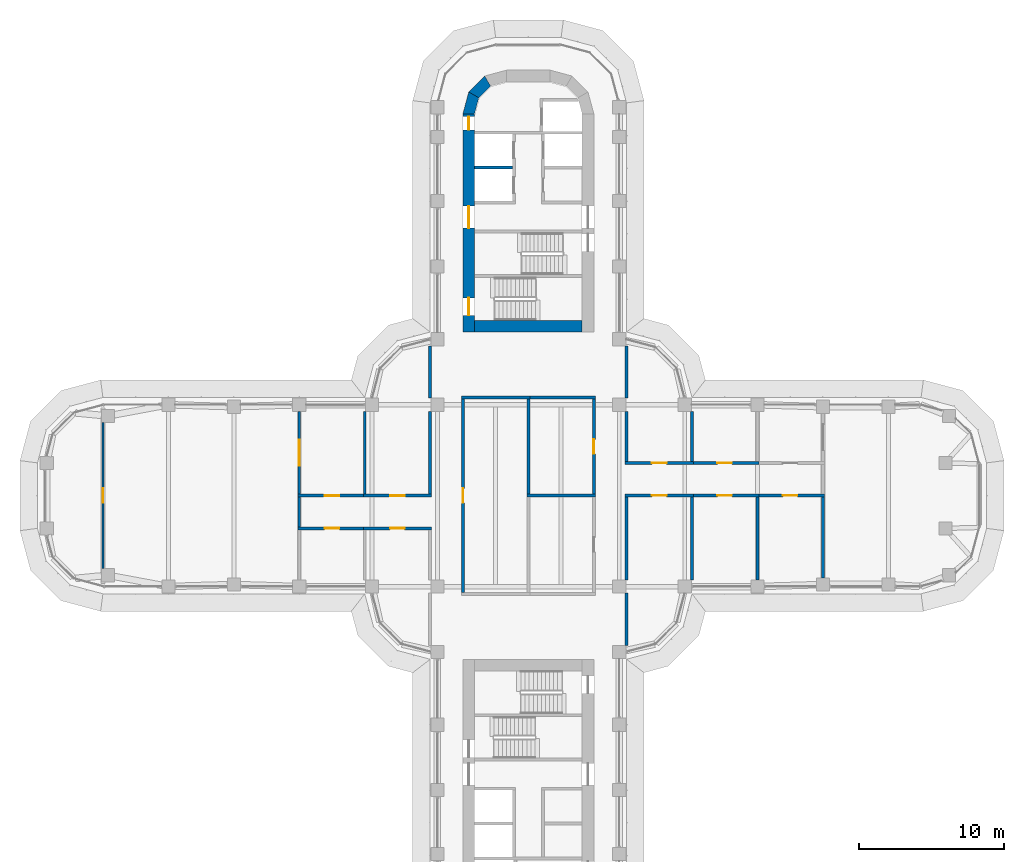
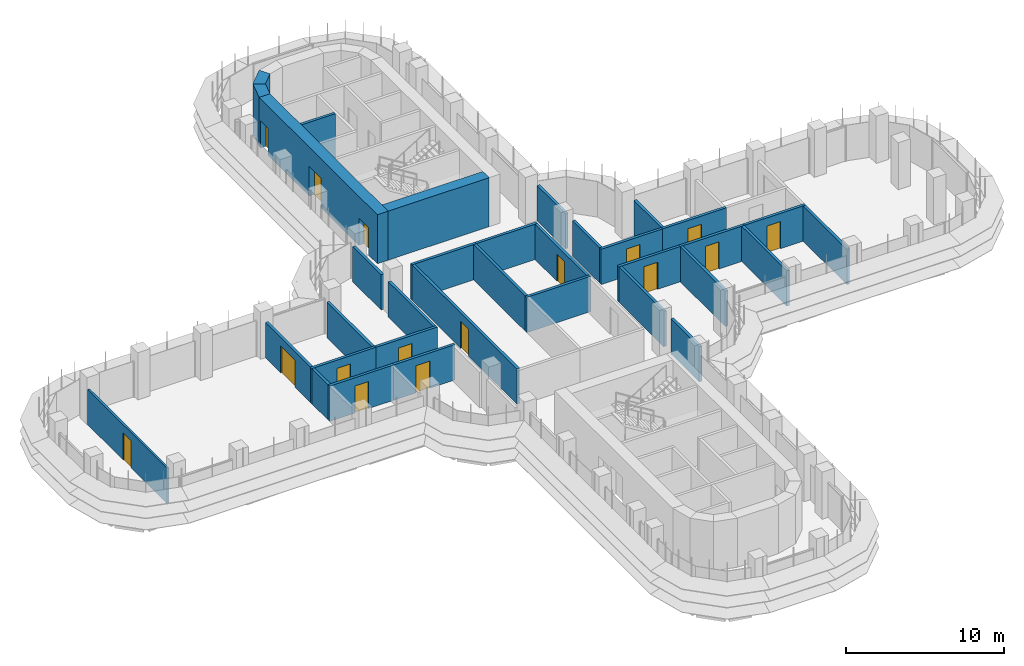
# One storey, part 16 of 22: 34 walls, 16 doors, 16 openings.
"""IFC4 building model written with IfcOpenShell, lengths in metres."""

from ifc_helpers import new_model, si_unit, direction, frame, frame_2d, origin, place, context, subcontext, project, spatial, polyline, rectangle, outline, extrude, material, layer, layer_set, type_object, element, fill, save


model = new_model("IFC4")

# Units and contexts
model_context = context("Model", 3, precision=1e-05, world=origin(), true_north=direction((0.0, 1.0)))
body_context = subcontext(model_context, "Body", "Model", "MODEL_VIEW")
ifc_project = project(units=[si_unit("LENGTHUNIT", "METRE"), si_unit("AREAUNIT", "SQUARE_METRE"), si_unit("VOLUMEUNIT", "CUBIC_METRE"), si_unit("PLANEANGLEUNIT", "RADIAN"), si_unit("MASSUNIT", "GRAM", prefix="KILO")], contexts=[model_context])

# Site, building, storey
site_placement = place(None, origin())
site = spatial("IfcSite", under=ifc_project, at=site_placement, CompositionType="ELEMENT")
building_placement = place(site_placement, origin())
building = spatial("IfcBuilding", under=site, at=building_placement, Name="Zarbagh Exchange Tower", CompositionType="ELEMENT")
storey_placement = place(building_placement, frame((0.0, 0.0, 132.199951171875)))
storey = spatial("IfcBuildingStorey", under=building, at=storey_placement, Name="L31", CompositionType="ELEMENT", Elevation=132.199951171875)

# Wall, opening, door
ifc_material_1 = material(Name="Plasterboard partition")
ifc_layer_1 = layer(ifc_material_1, 0.14990234375)
ifc_layer_set_1 = layer_set([ifc_layer_1], Name="PARTITION 150")
wall_type_1 = type_object("IfcWallType", Name="PARTITION 150", PredefinedType="PARTITIONING", material=ifc_layer_set_1)
wall_1_placement = place(storey_placement, frame((-29.25, -5.02490234375, 0.0), z_axis=(0.0, 0.0, 1.0), x_axis=(0.0, 1.0, 0.0)))
wall_1 = element("IfcWall", 1, at=wall_1_placement, inside=storey, type_object=wall_type_1, Name="Partition W-1341", PredefinedType="PARTITIONING", context=body_context, shape_type="SweptSolid", body=[
    extrude(rectangle(XDim=10.0498046875, YDim=0.14990234375, at=frame_2d((5.02490234375, 0.0))), origin(), (0.0, 0.0, 1.0), 2.738037109375),
])
opening_1_placement = place(wall_1_placement, frame((4.52490234375, 0.0, 0.0)))
opening_1 = element("IfcOpeningElement", 2, at=opening_1_placement, cuts=wall_1, Name="Opening D-1311", PredefinedType="OPENING", context=body_context, shape_type="SweptSolid", body=[
    extrude(rectangle(XDim=1.0, YDim=2.10009765625, at=frame_2d((0.5, 1.050048828125))), frame((0.0, 0.0849609375, 0.0), z_axis=(0.0, -1.0, 0.0), x_axis=(1.0, 0.0, 0.0)), (0.0, 0.0, 1.0), 0.169921875),
])
ifc_material_2 = material(Name="Timber door leaf", Category="wood")
door_type_1 = type_object("IfcDoorType", Name="DOOR 1000 X 2100", OperationType="NOTDEFINED", PredefinedType="DOOR", material=ifc_material_2)
door_1_placement = place(opening_1_placement, origin())
door_1 = element("IfcDoor", 3, at=door_1_placement, inside=storey, type_object=door_type_1, Name="Door D-1311", OperationType="SINGLE_SWING_RIGHT", OverallHeight=2.10009765625, OverallWidth=1.0, PredefinedType="DOOR", context=body_context, shape_type="SweptSolid", body=[
    extrude(rectangle(XDim=1.0, YDim=2.10009765625, at=frame_2d((0.5, 1.050048828125))), frame((0.0, 0.02490234375, 0.0), z_axis=(0.0, -1.0, 0.0), x_axis=(1.0, 0.0, 0.0)), (0.0, 0.0, 1.0), 0.050048828125),
])
fill(opening_1, door_1)

ifc_material_3 = material(Name="Fire-rated plasterboard partition")
ifc_layer_2 = layer(ifc_material_3, 0.199951171875)
ifc_layer_set_2 = layer_set([ifc_layer_2], Name="RATED PARTITION 200")
wall_type_2 = type_object("IfcWallType", Name="RATED PARTITION 200", PredefinedType="PARTITIONING", material=ifc_layer_set_2)
wall_2_placement = place(storey_placement, frame((-4.5, 6.64990234375, 0.0), z_axis=(0.0, 0.0, 1.0), x_axis=(0.0, -1.0, 0.0)))
wall_2 = element("IfcWall", 4, at=wall_2_placement, inside=storey, type_object=wall_type_2, Name="Partition W-1301", PredefinedType="PARTITIONING", context=body_context, shape_type="SweptSolid", body=[
    extrude(rectangle(XDim=13.2998046875, YDim=0.199951171875, at=frame_2d((6.64990234375, 0.0))), origin(), (0.0, 0.0, 1.0), 2.738037109375),
])
opening_2_placement = place(wall_2_placement, frame((6.14990234375, 0.0, 0.0)))
opening_2 = element("IfcOpeningElement", 5, at=opening_2_placement, cuts=wall_2, Name="Opening D-1303", PredefinedType="OPENING", context=body_context, shape_type="SweptSolid", body=[
    extrude(rectangle(XDim=1.0, YDim=2.10009765625, at=frame_2d((0.5, 1.050048828125))), frame((0.0, 0.10986328125, 0.0), z_axis=(0.0, -1.0, 0.0), x_axis=(1.0, 0.0, 0.0)), (0.0, 0.0, 1.0), 0.219970703125),
])
ifc_material_4 = material(Name="Steel door set", Category="steel")
door_type_2 = type_object("IfcDoorType", Name="FIRE DOOR 1000 X 2100 FD30S", OperationType="NOTDEFINED", PredefinedType="DOOR", material=ifc_material_4)
door_2_placement = place(opening_2_placement, origin())
door_2 = element("IfcDoor", 6, at=door_2_placement, inside=storey, type_object=door_type_2, Name="Door D-1303", OperationType="SINGLE_SWING_RIGHT", OverallHeight=2.10009765625, OverallWidth=1.0, PredefinedType="DOOR", context=body_context, shape_type="SweptSolid", body=[
    extrude(rectangle(XDim=1.0, YDim=2.10009765625, at=frame_2d((0.5, 1.050048828125))), frame((0.0, 0.02490234375, 0.0), z_axis=(0.0, -1.0, 0.0), x_axis=(1.0, 0.0, 0.0)), (0.0, 0.0, 1.0), 0.050048828125),
])
fill(opening_2, door_2)

# Walls
wall_3_placement = place(storey_placement, frame((-6.75, 0.10009765625, 0.0), z_axis=(0.0, 0.0, 1.0), x_axis=(0.0, 1.0, 0.0)))
element("IfcWall", 7, at=wall_3_placement, inside=storey, type_object=wall_type_2, Name="Partition W-1302", PredefinedType="PARTITIONING", context=body_context, shape_type="SweptSolid", body=[
    extrude(rectangle(XDim=5.699951171875, YDim=0.199951171875, at=frame_2d((2.85009765625, 0.0))), origin(), (0.0, 0.0, 1.0), 2.738037109375),
])
wall_4_placement = place(storey_placement, frame((-6.75, 6.699951171875, 0.0), z_axis=(0.0, 0.0, 1.0), x_axis=(0.0, 1.0, 0.0)))
element("IfcWall", 8, at=wall_4_placement, inside=storey, type_object=wall_type_2, Name="Partition W-1303", PredefinedType="PARTITIONING", context=body_context, shape_type="SweptSolid", body=[
    extrude(rectangle(XDim=3.60009765625, YDim=0.199951171875, at=frame_2d((1.800048828125, 0.0))), origin(), (0.0, 0.0, 1.0), 2.738037109375),
])

# Wall, opening, door
wall_5_placement = place(storey_placement, frame((4.5, 0.10009765625, 0.0), z_axis=(0.0, 0.0, 1.0), x_axis=(0.0, 1.0, 0.0)))
wall_5 = element("IfcWall", 9, at=wall_5_placement, inside=storey, type_object=wall_type_2, Name="Partition W-1306", PredefinedType="PARTITIONING", context=body_context, shape_type="SweptSolid", body=[
    extrude(rectangle(XDim=6.5498046875, YDim=0.199951171875, at=frame_2d((3.27490234375, 0.0))), origin(), (0.0, 0.0, 1.0), 2.738037109375),
])
opening_3_placement = place(wall_5_placement, frame((2.77490234375, 0.0, 0.0)))
opening_3 = element("IfcOpeningElement", 10, at=opening_3_placement, cuts=wall_5, Name="Opening D-1301", PredefinedType="OPENING", context=body_context, shape_type="SweptSolid", body=[
    extrude(rectangle(XDim=1.0, YDim=2.10009765625, at=frame_2d((0.5, 1.050048828125))), frame((0.0, 0.10986328125, 0.0), z_axis=(0.0, -1.0, 0.0), x_axis=(1.0, 0.0, 0.0)), (0.0, 0.0, 1.0), 0.219970703125),
])
door_3_placement = place(opening_3_placement, origin())
door_3 = element("IfcDoor", 11, at=door_3_placement, inside=storey, type_object=door_type_2, Name="Door D-1301", OperationType="SINGLE_SWING_LEFT", OverallHeight=2.10009765625, OverallWidth=1.0, PredefinedType="DOOR", context=body_context, shape_type="SweptSolid", body=[
    extrude(rectangle(XDim=1.0, YDim=2.10009765625, at=frame_2d((0.5, 1.050048828125))), frame((0.0, 0.02490234375, 0.0), z_axis=(0.0, -1.0, 0.0), x_axis=(1.0, 0.0, 0.0)), (0.0, 0.0, 1.0), 0.050048828125),
])
fill(opening_3, door_3)

# Walls
wall_6_placement = place(storey_placement, frame((6.75, 2.35009765625, 0.0), z_axis=(0.0, 0.0, 1.0), x_axis=(0.0, 1.0, 0.0)))
element("IfcWall", 12, at=wall_6_placement, inside=storey, type_object=wall_type_2, Name="Partition W-1308", PredefinedType="PARTITIONING", context=body_context, shape_type="SweptSolid", body=[
    extrude(rectangle(XDim=3.449951171875, YDim=0.199951171875, at=frame_2d((1.72509765625, 0.0))), origin(), (0.0, 0.0, 1.0), 2.738037109375),
])
for number, where, z_axis, x_axis, name in (
    (13, (6.75, 6.699951171875, 0.0), (0.0, 0.0, 1.0), (0.0, 1.0, 0.0), "Partition W-1309"),
    (14, (6.75, -10.300048828125, 0.0), (0.0, 0.0, 1.0), (0.0, 1.0, 0.0), "Partition W-1310"),
):
    element("IfcWall", number, at=place(storey_placement, frame(where, z_axis=z_axis, x_axis=x_axis)), inside=storey, type_object=wall_type_2, Name=name, PredefinedType="PARTITIONING", context=body_context, shape_type="SweptSolid", body=[
        extrude(rectangle(XDim=3.60009765625, YDim=0.199951171875, at=frame_2d((1.800048828125, 0.0))), origin(), (0.0, 0.0, 1.0), 2.738037109375),
    ])
wall_7_placement = place(storey_placement, frame((6.75, -5.800048828125, 0.0), z_axis=(0.0, 0.0, 1.0), x_axis=(0.0, 1.0, 0.0)))
element("IfcWall", 15, at=wall_7_placement, inside=storey, type_object=wall_type_2, Name="Partition W-1311", PredefinedType="PARTITIONING", context=body_context, shape_type="SweptSolid", body=[
    extrude(rectangle(XDim=5.699951171875, YDim=0.199951171875, at=frame_2d((2.85009765625, 0.0))), origin(), (0.0, 0.0, 1.0), 2.738037109375),
])
for number, where, z_axis, x_axis, name in (
    (16, (-4.60009765625, 6.75, 0.0), (0.0, 0.0, 1.0), (1.0, 0.0, 0.0), "Partition W-1312"),
    (17, (-0.10009765625, 6.75, 0.0), (0.0, 0.0, 1.0), (1.0, 0.0, 0.0), "Partition W-1313"),
):
    element("IfcWall", number, at=place(storey_placement, frame(where, z_axis=z_axis, x_axis=x_axis)), inside=storey, type_object=wall_type_2, Name=name, PredefinedType="PARTITIONING", context=body_context, shape_type="SweptSolid", body=[
        extrude(rectangle(XDim=4.7001953125, YDim=0.199951171875, at=frame_2d((2.35009765625, 0.0))), origin(), (0.0, 0.0, 1.0), 2.738037109375),
    ])
wall_8_placement = place(storey_placement, frame((0.0, 0.10009765625, 0.0), z_axis=(0.0, 0.0, 1.0), x_axis=(0.0, 1.0, 0.0)))
element("IfcWall", 18, at=wall_8_placement, inside=storey, type_object=wall_type_2, Name="Partition W-1316", PredefinedType="PARTITIONING", context=body_context, shape_type="SweptSolid", body=[
    extrude(rectangle(XDim=6.5498046875, YDim=0.199951171875, at=frame_2d((3.27490234375, 0.0))), origin(), (0.0, 0.0, 1.0), 2.738037109375),
])
wall_9_placement = place(storey_placement, frame((-0.10009765625, 0.0, 0.0), z_axis=(0.0, 0.0, 1.0), x_axis=(1.0, 0.0, 0.0)))
element("IfcWall", 19, at=wall_9_placement, inside=storey, type_object=wall_type_2, Name="Partition W-1318", PredefinedType="PARTITIONING", context=body_context, shape_type="SweptSolid", body=[
    extrude(rectangle(XDim=4.7001953125, YDim=0.199951171875, at=frame_2d((2.35009765625, 0.0))), origin(), (0.0, 0.0, 1.0), 2.738037109375),
])

# Wall, opening, door
wall_10_placement = place(storey_placement, frame((6.64990234375, 2.25, 0.0), z_axis=(0.0, 0.0, 1.0), x_axis=(1.0, 0.0, 0.0)))
wall_10 = element("IfcWall", 20, at=wall_10_placement, inside=storey, type_object=wall_type_2, Name="Partition W-1319", PredefinedType="PARTITIONING", context=body_context, shape_type="SweptSolid", body=[
    extrude(rectangle(XDim=4.7001953125, YDim=0.199951171875, at=frame_2d((2.35009765625, 0.0))), origin(), (0.0, 0.0, 1.0), 2.738037109375),
])
opening_4_placement = place(wall_10_placement, frame((1.85009765625, 0.0, 0.0)))
opening_4 = element("IfcOpeningElement", 21, at=opening_4_placement, cuts=wall_10, Name="Opening D-1305", PredefinedType="OPENING", context=body_context, shape_type="SweptSolid", body=[
    extrude(rectangle(XDim=1.0, YDim=2.10009765625, at=frame_2d((0.5, 1.050048828125))), frame((0.0, 0.10986328125, 0.0), z_axis=(0.0, -1.0, 0.0), x_axis=(1.0, 0.0, 0.0)), (0.0, 0.0, 1.0), 0.219970703125),
])
door_4_placement = place(opening_4_placement, origin())
door_4 = element("IfcDoor", 22, at=door_4_placement, inside=storey, type_object=door_type_2, Name="Door D-1305", OperationType="SINGLE_SWING_RIGHT", OverallHeight=2.10009765625, OverallWidth=1.0, PredefinedType="DOOR", context=body_context, shape_type="SweptSolid", body=[
    extrude(rectangle(XDim=1.0, YDim=2.10009765625, at=frame_2d((0.5, 1.050048828125))), frame((0.0, 0.02490234375, 0.0), z_axis=(0.0, -1.0, 0.0), x_axis=(1.0, 0.0, 0.0)), (0.0, 0.0, 1.0), 0.050048828125),
])
fill(opening_4, door_4)

wall_11_placement = place(storey_placement, frame((11.35009765625, 0.0, 0.0), z_axis=(0.0, 0.0, 1.0), x_axis=(-1.0, 0.0, 0.0)))
wall_11 = element("IfcWall", 23, at=wall_11_placement, inside=storey, type_object=wall_type_2, Name="Partition W-1320", PredefinedType="PARTITIONING", context=body_context, shape_type="SweptSolid", body=[
    extrude(rectangle(XDim=4.7001953125, YDim=0.199951171875, at=frame_2d((2.35009765625, 0.0))), origin(), (0.0, 0.0, 1.0), 2.738037109375),
])
opening_5_placement = place(wall_11_placement, frame((1.85009765625, 0.0, 0.0)))
opening_5 = element("IfcOpeningElement", 24, at=opening_5_placement, cuts=wall_11, Name="Opening D-1308", PredefinedType="OPENING", context=body_context, shape_type="SweptSolid", body=[
    extrude(rectangle(XDim=1.0, YDim=2.10009765625, at=frame_2d((0.5, 1.050048828125))), frame((0.0, 0.10986328125, 0.0), z_axis=(0.0, -1.0, 0.0), x_axis=(1.0, 0.0, 0.0)), (0.0, 0.0, 1.0), 0.219970703125),
])
door_5_placement = place(opening_5_placement, origin())
door_5 = element("IfcDoor", 25, at=door_5_placement, inside=storey, type_object=door_type_2, Name="Door D-1308", OperationType="SINGLE_SWING_RIGHT", OverallHeight=2.10009765625, OverallWidth=1.0, PredefinedType="DOOR", context=body_context, shape_type="SweptSolid", body=[
    extrude(rectangle(XDim=1.0, YDim=2.10009765625, at=frame_2d((0.5, 1.050048828125))), frame((0.0, 0.02490234375, 0.0), z_axis=(0.0, -1.0, 0.0), x_axis=(1.0, 0.0, 0.0)), (0.0, 0.0, 1.0), 0.050048828125),
])
fill(opening_5, door_5)

wall_12_placement = place(storey_placement, frame((11.14990234375, 2.25, 0.0), z_axis=(0.0, 0.0, 1.0), x_axis=(1.0, 0.0, 0.0)))
wall_12 = element("IfcWall", 26, at=wall_12_placement, inside=storey, type_object=wall_type_2, Name="Partition W-1321", PredefinedType="PARTITIONING", context=body_context, shape_type="SweptSolid", body=[
    extrude(rectangle(XDim=4.7001953125, YDim=0.199951171875, at=frame_2d((2.35009765625, 0.0))), origin(), (0.0, 0.0, 1.0), 2.738037109375),
])
opening_6_placement = place(wall_12_placement, frame((1.85009765625, 0.0, 0.0)))
opening_6 = element("IfcOpeningElement", 27, at=opening_6_placement, cuts=wall_12, Name="Opening D-1306", PredefinedType="OPENING", context=body_context, shape_type="SweptSolid", body=[
    extrude(rectangle(XDim=1.0, YDim=2.10009765625, at=frame_2d((0.5, 1.050048828125))), frame((0.0, 0.10986328125, 0.0), z_axis=(0.0, -1.0, 0.0), x_axis=(1.0, 0.0, 0.0)), (0.0, 0.0, 1.0), 0.219970703125),
])
door_6_placement = place(opening_6_placement, origin())
door_6 = element("IfcDoor", 28, at=door_6_placement, inside=storey, type_object=door_type_2, Name="Door D-1306", OperationType="SINGLE_SWING_RIGHT", OverallHeight=2.10009765625, OverallWidth=1.0, PredefinedType="DOOR", context=body_context, shape_type="SweptSolid", body=[
    extrude(rectangle(XDim=1.0, YDim=2.10009765625, at=frame_2d((0.5, 1.050048828125))), frame((0.0, 0.02490234375, 0.0), z_axis=(0.0, -1.0, 0.0), x_axis=(1.0, 0.0, 0.0)), (0.0, 0.0, 1.0), 0.050048828125),
])
fill(opening_6, door_6)

wall_13_placement = place(storey_placement, frame((15.85009765625, 0.0, 0.0), z_axis=(0.0, 0.0, 1.0), x_axis=(-1.0, 0.0, 0.0)))
wall_13 = element("IfcWall", 29, at=wall_13_placement, inside=storey, type_object=wall_type_2, Name="Partition W-1323", PredefinedType="PARTITIONING", context=body_context, shape_type="SweptSolid", body=[
    extrude(rectangle(XDim=4.7001953125, YDim=0.199951171875, at=frame_2d((2.35009765625, 0.0))), origin(), (0.0, 0.0, 1.0), 2.738037109375),
])
opening_7_placement = place(wall_13_placement, frame((1.85009765625, 0.0, 0.0)))
opening_7 = element("IfcOpeningElement", 30, at=opening_7_placement, cuts=wall_13, Name="Opening D-1309", PredefinedType="OPENING", context=body_context, shape_type="SweptSolid", body=[
    extrude(rectangle(XDim=1.0, YDim=2.10009765625, at=frame_2d((0.5, 1.050048828125))), frame((0.0, 0.10986328125, 0.0), z_axis=(0.0, -1.0, 0.0), x_axis=(1.0, 0.0, 0.0)), (0.0, 0.0, 1.0), 0.219970703125),
])
door_7_placement = place(opening_7_placement, origin())
door_7 = element("IfcDoor", 31, at=door_7_placement, inside=storey, type_object=door_type_2, Name="Door D-1309", OperationType="SINGLE_SWING_RIGHT", OverallHeight=2.10009765625, OverallWidth=1.0, PredefinedType="DOOR", context=body_context, shape_type="SweptSolid", body=[
    extrude(rectangle(XDim=1.0, YDim=2.10009765625, at=frame_2d((0.5, 1.050048828125))), frame((0.0, 0.02490234375, 0.0), z_axis=(0.0, -1.0, 0.0), x_axis=(1.0, 0.0, 0.0)), (0.0, 0.0, 1.0), 0.050048828125),
])
fill(opening_7, door_7)

wall_14_placement = place(storey_placement, frame((20.35009765625, 0.0, 0.0), z_axis=(0.0, 0.0, 1.0), x_axis=(-1.0, 0.0, 0.0)))
wall_14 = element("IfcWall", 32, at=wall_14_placement, inside=storey, type_object=wall_type_2, Name="Partition W-1324", PredefinedType="PARTITIONING", context=body_context, shape_type="SweptSolid", body=[
    extrude(rectangle(XDim=4.7001953125, YDim=0.199951171875, at=frame_2d((2.35009765625, 0.0))), origin(), (0.0, 0.0, 1.0), 2.738037109375),
])
opening_8_placement = place(wall_14_placement, frame((1.85009765625, 0.0, 0.0)))
opening_8 = element("IfcOpeningElement", 33, at=opening_8_placement, cuts=wall_14, Name="Opening D-1310", PredefinedType="OPENING", context=body_context, shape_type="SweptSolid", body=[
    extrude(rectangle(XDim=1.0, YDim=2.10009765625, at=frame_2d((0.5, 1.050048828125))), frame((0.0, 0.10986328125, 0.0), z_axis=(0.0, -1.0, 0.0), x_axis=(1.0, 0.0, 0.0)), (0.0, 0.0, 1.0), 0.219970703125),
])
door_8_placement = place(opening_8_placement, origin())
door_8 = element("IfcDoor", 34, at=door_8_placement, inside=storey, type_object=door_type_2, Name="Door D-1310", OperationType="SINGLE_SWING_RIGHT", OverallHeight=2.10009765625, OverallWidth=1.0, PredefinedType="DOOR", context=body_context, shape_type="SweptSolid", body=[
    extrude(rectangle(XDim=1.0, YDim=2.10009765625, at=frame_2d((0.5, 1.050048828125))), frame((0.0, 0.02490234375, 0.0), z_axis=(0.0, -1.0, 0.0), x_axis=(1.0, 0.0, 0.0)), (0.0, 0.0, 1.0), 0.050048828125),
])
fill(opening_8, door_8)

# Walls
wall_15_placement = place(storey_placement, frame((11.25, 2.35009765625, 0.0), z_axis=(0.0, 0.0, 1.0), x_axis=(0.0, 1.0, 0.0)))
element("IfcWall", 35, at=wall_15_placement, inside=storey, type_object=wall_type_2, Name="Partition W-1326", PredefinedType="PARTITIONING", context=body_context, shape_type="SweptSolid", body=[
    extrude(rectangle(XDim=3.449951171875, YDim=0.199951171875, at=frame_2d((1.72509765625, 0.0))), origin(), (0.0, 0.0, 1.0), 2.738037109375),
])
for number, where, z_axis, x_axis, name in (
    (36, (11.25, -5.800048828125, 0.0), (0.0, 0.0, 1.0), (0.0, 1.0, 0.0), "Partition W-1327"),
    (37, (15.75, -5.800048828125, 0.0), (0.0, 0.0, 1.0), (0.0, 1.0, 0.0), "Partition W-1330"),
):
    element("IfcWall", number, at=place(storey_placement, frame(where, z_axis=z_axis, x_axis=x_axis)), inside=storey, type_object=wall_type_2, Name=name, PredefinedType="PARTITIONING", context=body_context, shape_type="SweptSolid", body=[
        extrude(rectangle(XDim=5.699951171875, YDim=0.199951171875, at=frame_2d((2.85009765625, 0.0))), origin(), (0.0, 0.0, 1.0), 2.738037109375),
    ])
wall_16_placement = place(storey_placement, frame((20.25, -5.659912109375, 0.0), z_axis=(0.0, 0.0, 1.0), x_axis=(0.0, 1.0, 0.0)))
element("IfcWall", 38, at=wall_16_placement, inside=storey, type_object=wall_type_2, Name="Partition W-1331", PredefinedType="PARTITIONING", context=body_context, shape_type="SweptSolid", body=[
    extrude(rectangle(XDim=5.559814453125, YDim=0.199951171875, at=frame_2d((2.77978515625, 0.0))), origin(), (0.0, 0.0, 1.0), 2.738037109375),
])

# Wall, opening, door
wall_17_placement = place(storey_placement, frame((-11.35009765625, 0.0, 0.0), z_axis=(0.0, 0.0, 1.0), x_axis=(1.0, 0.0, 0.0)))
wall_17 = element("IfcWall", 39, at=wall_17_placement, inside=storey, type_object=wall_type_2, Name="Partition W-1332", PredefinedType="PARTITIONING", context=body_context, shape_type="SweptSolid", body=[
    extrude(rectangle(XDim=4.7001953125, YDim=0.199951171875, at=frame_2d((2.35009765625, 0.0))), origin(), (0.0, 0.0, 1.0), 2.738037109375),
])
opening_9_placement = place(wall_17_placement, frame((1.85009765625, 0.0, 0.0)))
opening_9 = element("IfcOpeningElement", 40, at=opening_9_placement, cuts=wall_17, Name="Opening D-1313", PredefinedType="OPENING", context=body_context, shape_type="SweptSolid", body=[
    extrude(rectangle(XDim=1.0, YDim=2.10009765625, at=frame_2d((0.5, 1.050048828125))), frame((0.0, 0.10986328125, 0.0), z_axis=(0.0, -1.0, 0.0), x_axis=(1.0, 0.0, 0.0)), (0.0, 0.0, 1.0), 0.219970703125),
])
door_9_placement = place(opening_9_placement, origin())
door_9 = element("IfcDoor", 41, at=door_9_placement, inside=storey, type_object=door_type_2, Name="Door D-1313", OperationType="SINGLE_SWING_RIGHT", OverallHeight=2.10009765625, OverallWidth=1.0, PredefinedType="DOOR", context=body_context, shape_type="SweptSolid", body=[
    extrude(rectangle(XDim=1.0, YDim=2.10009765625, at=frame_2d((0.5, 1.050048828125))), frame((0.0, 0.02490234375, 0.0), z_axis=(0.0, -1.0, 0.0), x_axis=(1.0, 0.0, 0.0)), (0.0, 0.0, 1.0), 0.050048828125),
])
fill(opening_9, door_9)

wall_18_placement = place(storey_placement, frame((-6.64990234375, -2.25, 0.0), z_axis=(0.0, 0.0, 1.0), x_axis=(-1.0, 0.0, 0.0)))
wall_18 = element("IfcWall", 42, at=wall_18_placement, inside=storey, type_object=wall_type_2, Name="Partition W-1333", PredefinedType="PARTITIONING", context=body_context, shape_type="SweptSolid", body=[
    extrude(rectangle(XDim=4.7001953125, YDim=0.199951171875, at=frame_2d((2.35009765625, 0.0))), origin(), (0.0, 0.0, 1.0), 2.738037109375),
])
opening_10_placement = place(wall_18_placement, frame((1.85009765625, 0.0, 0.0)))
opening_10 = element("IfcOpeningElement", 43, at=opening_10_placement, cuts=wall_18, Name="Opening D-1315", PredefinedType="OPENING", context=body_context, shape_type="SweptSolid", body=[
    extrude(rectangle(XDim=1.0, YDim=2.10009765625, at=frame_2d((0.5, 1.050048828125))), frame((0.0, 0.10986328125, 0.0), z_axis=(0.0, -1.0, 0.0), x_axis=(1.0, 0.0, 0.0)), (0.0, 0.0, 1.0), 0.219970703125),
])
door_10_placement = place(opening_10_placement, origin())
door_10 = element("IfcDoor", 44, at=door_10_placement, inside=storey, type_object=door_type_2, Name="Door D-1315", OperationType="SINGLE_SWING_RIGHT", OverallHeight=2.10009765625, OverallWidth=1.0, PredefinedType="DOOR", context=body_context, shape_type="SweptSolid", body=[
    extrude(rectangle(XDim=1.0, YDim=2.10009765625, at=frame_2d((0.5, 1.050048828125))), frame((0.0, 0.02490234375, 0.0), z_axis=(0.0, -1.0, 0.0), x_axis=(1.0, 0.0, 0.0)), (0.0, 0.0, 1.0), 0.050048828125),
])
fill(opening_10, door_10)

wall_19_placement = place(storey_placement, frame((-15.85009765625, 0.0, 0.0), z_axis=(0.0, 0.0, 1.0), x_axis=(1.0, 0.0, 0.0)))
wall_19 = element("IfcWall", 45, at=wall_19_placement, inside=storey, type_object=wall_type_2, Name="Partition W-1334", PredefinedType="PARTITIONING", context=body_context, shape_type="SweptSolid", body=[
    extrude(rectangle(XDim=4.7001953125, YDim=0.199951171875, at=frame_2d((2.35009765625, 0.0))), origin(), (0.0, 0.0, 1.0), 2.738037109375),
])
opening_11_placement = place(wall_19_placement, frame((1.85009765625, 0.0, 0.0)))
opening_11 = element("IfcOpeningElement", 46, at=opening_11_placement, cuts=wall_19, Name="Opening D-1314", PredefinedType="OPENING", context=body_context, shape_type="SweptSolid", body=[
    extrude(rectangle(XDim=1.0, YDim=2.10009765625, at=frame_2d((0.5, 1.050048828125))), frame((0.0, 0.10986328125, 0.0), z_axis=(0.0, -1.0, 0.0), x_axis=(1.0, 0.0, 0.0)), (0.0, 0.0, 1.0), 0.219970703125),
])
door_11_placement = place(opening_11_placement, origin())
door_11 = element("IfcDoor", 47, at=door_11_placement, inside=storey, type_object=door_type_2, Name="Door D-1314", OperationType="SINGLE_SWING_RIGHT", OverallHeight=2.10009765625, OverallWidth=1.0, PredefinedType="DOOR", context=body_context, shape_type="SweptSolid", body=[
    extrude(rectangle(XDim=1.0, YDim=2.10009765625, at=frame_2d((0.5, 1.050048828125))), frame((0.0, 0.02490234375, 0.0), z_axis=(0.0, -1.0, 0.0), x_axis=(1.0, 0.0, 0.0)), (0.0, 0.0, 1.0), 0.050048828125),
])
fill(opening_11, door_11)

wall_20_placement = place(storey_placement, frame((-11.14990234375, -2.25, 0.0), z_axis=(0.0, 0.0, 1.0), x_axis=(-1.0, 0.0, 0.0)))
wall_20 = element("IfcWall", 48, at=wall_20_placement, inside=storey, type_object=wall_type_2, Name="Partition W-1335", PredefinedType="PARTITIONING", context=body_context, shape_type="SweptSolid", body=[
    extrude(rectangle(XDim=4.7001953125, YDim=0.199951171875, at=frame_2d((2.35009765625, 0.0))), origin(), (0.0, 0.0, 1.0), 2.738037109375),
])
opening_12_placement = place(wall_20_placement, frame((1.85009765625, 0.0, 0.0)))
opening_12 = element("IfcOpeningElement", 49, at=opening_12_placement, cuts=wall_20, Name="Opening D-1316", PredefinedType="OPENING", context=body_context, shape_type="SweptSolid", body=[
    extrude(rectangle(XDim=1.0, YDim=2.10009765625, at=frame_2d((0.5, 1.050048828125))), frame((0.0, 0.10986328125, 0.0), z_axis=(0.0, -1.0, 0.0), x_axis=(1.0, 0.0, 0.0)), (0.0, 0.0, 1.0), 0.219970703125),
])
door_12_placement = place(opening_12_placement, origin())
door_12 = element("IfcDoor", 50, at=door_12_placement, inside=storey, type_object=door_type_2, Name="Door D-1316", OperationType="SINGLE_SWING_RIGHT", OverallHeight=2.10009765625, OverallWidth=1.0, PredefinedType="DOOR", context=body_context, shape_type="SweptSolid", body=[
    extrude(rectangle(XDim=1.0, YDim=2.10009765625, at=frame_2d((0.5, 1.050048828125))), frame((0.0, 0.02490234375, 0.0), z_axis=(0.0, -1.0, 0.0), x_axis=(1.0, 0.0, 0.0)), (0.0, 0.0, 1.0), 0.050048828125),
])
fill(opening_12, door_12)

# Walls
wall_21_placement = place(storey_placement, frame((-15.75, -2.14990234375, 0.0), z_axis=(0.0, 0.0, 1.0), x_axis=(0.0, 1.0, 0.0)))
element("IfcWall", 51, at=wall_21_placement, inside=storey, type_object=wall_type_2, Name="Partition W-1336", PredefinedType="PARTITIONING", context=body_context, shape_type="SweptSolid", body=[
    extrude(rectangle(XDim=2.0498046875, YDim=0.199951171875, at=frame_2d((1.02490234375, 0.0))), origin(), (0.0, 0.0, 1.0), 2.738037109375),
])
wall_22_placement = place(storey_placement, frame((-11.25, 0.10009765625, 0.0), z_axis=(0.0, 0.0, 1.0), x_axis=(0.0, 1.0, 0.0)))
element("IfcWall", 52, at=wall_22_placement, inside=storey, type_object=wall_type_2, Name="Partition W-1337", PredefinedType="PARTITIONING", context=body_context, shape_type="SweptSolid", body=[
    extrude(rectangle(XDim=5.699951171875, YDim=0.199951171875, at=frame_2d((2.85009765625, 0.0))), origin(), (0.0, 0.0, 1.0), 2.738037109375),
])

# Wall, opening, door
wall_23_placement = place(storey_placement, frame((-15.75, 0.10009765625, 0.0), z_axis=(0.0, 0.0, 1.0), x_axis=(0.0, 1.0, 0.0)))
wall_23 = element("IfcWall", 53, at=wall_23_placement, inside=storey, type_object=wall_type_2, Name="Partition W-1339", PredefinedType="PARTITIONING", context=body_context, shape_type="SweptSolid", body=[
    extrude(rectangle(XDim=5.699951171875, YDim=0.199951171875, at=frame_2d((2.85009765625, 0.0))), origin(), (0.0, 0.0, 1.0), 2.738037109375),
])
opening_13_placement = place(wall_23_placement, frame((1.949951171875, 0.0, 0.0)))
opening_13 = element("IfcOpeningElement", 54, at=opening_13_placement, cuts=wall_23, Name="Opening D-1312", PredefinedType="OPENING", context=body_context, shape_type="SweptSolid", body=[
    extrude(rectangle(XDim=1.800048828125, YDim=2.10009765625, at=frame_2d((0.89990234375, 1.050048828125))), frame((0.0, 0.10986328125, 0.0), z_axis=(0.0, -1.0, 0.0), x_axis=(1.0, 0.0, 0.0)), (0.0, 0.0, 1.0), 0.219970703125),
])
door_type_3 = type_object("IfcDoorType", Name="FIRE DOUBLE DOOR 1800 X 2100 FD30S", OperationType="DOUBLE_DOOR_SINGLE_SWING", PredefinedType="DOOR", material=ifc_material_4)
door_13_placement = place(opening_13_placement, origin())
door_13 = element("IfcDoor", 55, at=door_13_placement, inside=storey, type_object=door_type_3, Name="Door D-1312", OperationType="DOUBLE_DOOR_SINGLE_SWING", OverallHeight=2.10009765625, OverallWidth=1.800048828125, PredefinedType="DOOR", context=body_context, shape_type="SweptSolid", body=[
    extrude(rectangle(XDim=1.800048828125, YDim=2.10009765625, at=frame_2d((0.89990234375, 1.050048828125))), frame((0.0, 0.02490234375, 0.0), z_axis=(0.0, -1.0, 0.0), x_axis=(1.0, 0.0, 0.0)), (0.0, 0.0, 1.0), 0.050048828125),
])
fill(opening_13, door_13)

# Walls
ifc_material_5 = material(Name="Concrete C60/75", Category="concrete")
ifc_layer_3 = layer(ifc_material_5, 0.800048828125)
ifc_layer_set_3 = layer_set([ifc_layer_3], Name="RC core corner wall 800 C60/75")
wall_type_3 = type_object("IfcWallType", Name="RC core corner wall 800 C60/75", PredefinedType="SHEAR", material=ifc_layer_set_3)
wall_24_placement = place(storey_placement, origin())
element("IfcWall", 56, at=wall_24_placement, inside=storey, type_object=wall_type_3, Name="CW4 core N corner W", PredefinedType="SHEAR", context=body_context, shape_type="SweptSolid", body=[
    extrude(outline(polyline([(-4.5, 26.25), (-4.09814453125, 27.75), (-3.4052734375, 27.35009765625), (-3.699951171875, 26.25), (-4.5, 26.25)])), origin(), (0.0, 0.0, 1.0), 3.800048828125),
])
wall_25_placement = place(storey_placement, origin())
element("IfcWall", 57, at=wall_25_placement, inside=storey, type_object=wall_type_3, Name="CW4 core N corner W", PredefinedType="SHEAR", context=body_context, shape_type="SweptSolid", body=[
    extrude(outline(polyline([(-4.09814453125, 27.75), (-3.0, 28.84814453125), (-2.60009765625, 28.1552734375), (-3.4052734375, 27.35009765625), (-4.09814453125, 27.75)])), origin(), (0.0, 0.0, 1.0), 3.800048828125),
])

# Wall, openings, doors
ifc_layer_4 = layer(ifc_material_5, 0.800048828125)
ifc_layer_set_4 = layer_set([ifc_layer_4], Name="RC core wall 800 C60/75")
wall_type_4 = type_object("IfcWallType", Name="RC core wall 800 C60/75", PredefinedType="SHEAR", material=ifc_layer_set_4)
wall_26_placement = place(storey_placement, frame((-4.10009765625, 11.25, 0.0), z_axis=(0.0, 0.0, 1.0), x_axis=(0.0, 1.0, 0.0)))
wall_26 = element("IfcWall", 58, at=wall_26_placement, inside=storey, type_object=wall_type_4, Name="CW3 core N W", PredefinedType="SHEAR", context=body_context, shape_type="SweptSolid", body=[
    extrude(rectangle(XDim=15.0, YDim=0.800048828125, at=frame_2d((7.5, 0.0))), origin(), (0.0, 0.0, 1.0), 3.800048828125),
])
opening_14_placement = place(wall_26_placement, frame((7.14990234375, 0.0, 0.0)))
opening_14 = element("IfcOpeningElement", 59, at=opening_14_placement, cuts=wall_26, Name="Opening CD1-1500", PredefinedType="OPENING", context=body_context, shape_type="SweptSolid", body=[
    extrude(rectangle(XDim=1.5, YDim=2.300048828125, at=frame_2d((0.75, 1.14990234375))), frame((0.0, 0.409912109375, 0.0), z_axis=(0.0, -1.0, 0.0), x_axis=(1.0, 0.0, 0.0)), (0.0, 0.0, 1.0), 0.820068359375),
])
opening_15_placement = place(wall_26_placement, frame((13.89990234375, 0.0, 0.0)))
opening_15 = element("IfcOpeningElement", 60, at=opening_15_placement, cuts=wall_26, Name="Opening CD2-900", PredefinedType="OPENING", context=body_context, shape_type="SweptSolid", body=[
    extrude(rectangle(XDim=0.89990234375, YDim=2.10009765625, at=frame_2d((0.449951171875, 1.050048828125))), frame((0.0, 0.409912109375, 0.0), z_axis=(0.0, -1.0, 0.0), x_axis=(1.0, 0.0, 0.0)), (0.0, 0.0, 1.0), 0.820068359375),
])
opening_16_placement = place(wall_26_placement, frame((1.14990234375, 0.0, 0.0)))
opening_16 = element("IfcOpeningElement", 61, at=opening_16_placement, cuts=wall_26, Name="Opening SD1-1200", PredefinedType="OPENING", context=body_context, shape_type="SweptSolid", body=[
    extrude(rectangle(XDim=1.199951171875, YDim=2.10009765625, at=frame_2d((0.60009765625, 1.050048828125))), frame((0.0, 0.409912109375, 0.0), z_axis=(0.0, -1.0, 0.0), x_axis=(1.0, 0.0, 0.0)), (0.0, 0.0, 1.0), 0.820068359375),
])
ifc_material_6 = material(Name="Steel", Category="steel")
door_type_4 = type_object("IfcDoorType", Name="Exit stair door 1200 x 2100", OperationType="NOTDEFINED", PredefinedType="DOOR", material=ifc_material_6)
door_14_placement = place(opening_16_placement, origin())
door_14 = element("IfcDoor", 62, at=door_14_placement, inside=storey, type_object=door_type_4, Name="North core stair door ST2", OperationType="SINGLE_SWING_RIGHT", OverallHeight=2.10009765625, OverallWidth=1.199951171875, PredefinedType="DOOR", context=body_context, shape_type="SweptSolid", body=[
    extrude(rectangle(XDim=1.199951171875, YDim=2.10009765625, at=frame_2d((0.60009765625, 1.050048828125))), frame((0.0, 0.02490234375, 0.0), z_axis=(0.0, -1.0, 0.0), x_axis=(1.0, 0.0, 0.0)), (0.0, 0.0, 1.0), 0.050048828125),
])
fill(opening_16, door_14)
door_type_5 = type_object("IfcDoorType", Name="Firefighting lobby door 900 x 2100", OperationType="NOTDEFINED", PredefinedType="DOOR", material=ifc_material_6)
door_15_placement = place(opening_15_placement, origin())
door_15 = element("IfcDoor", 63, at=door_15_placement, inside=storey, type_object=door_type_5, Name="North core firefighting lobby door FF-W", OperationType="SINGLE_SWING_RIGHT", OverallHeight=2.10009765625, OverallWidth=0.89990234375, PredefinedType="DOOR", context=body_context, shape_type="SweptSolid", body=[
    extrude(rectangle(XDim=0.89990234375, YDim=2.10009765625, at=frame_2d((0.449951171875, 1.050048828125))), frame((0.0, 0.02490234375, 0.0), z_axis=(0.0, -1.0, 0.0), x_axis=(1.0, 0.0, 0.0)), (0.0, 0.0, 1.0), 0.050048828125),
])
fill(opening_15, door_15)
door_type_6 = type_object("IfcDoorType", Name="Lift lobby double door 1500 x 2300", OperationType="NOTDEFINED", PredefinedType="DOOR", material=ifc_material_6)
door_16_placement = place(opening_14_placement, origin())
door_16 = element("IfcDoor", 64, at=door_16_placement, inside=storey, type_object=door_type_6, Name="North core lift lobby door LOBBY-W", OperationType="DOUBLE_DOOR_SINGLE_SWING", OverallHeight=2.300048828125, OverallWidth=1.5, PredefinedType="DOOR", context=body_context, shape_type="SweptSolid", body=[
    extrude(rectangle(XDim=1.5, YDim=2.300048828125, at=frame_2d((0.75, 1.14990234375))), frame((0.0, 0.02490234375, 0.0), z_axis=(0.0, -1.0, 0.0), x_axis=(1.0, 0.0, 0.0)), (0.0, 0.0, 1.0), 0.050048828125),
])
fill(opening_14, door_16)

# Walls
wall_27_placement = place(storey_placement, frame((-3.699951171875, 11.64990234375, 0.0), z_axis=(0.0, 0.0, 1.0), x_axis=(1.0, 0.0, 0.0)))
element("IfcWall", 65, at=wall_27_placement, inside=storey, type_object=wall_type_4, Name="CW3 core N inner end", PredefinedType="SHEAR", context=body_context, shape_type="SweptSolid", body=[
    extrude(rectangle(XDim=7.39990234375, YDim=0.800048828125, at=frame_2d((3.699951171875, 0.0))), origin(), (0.0, 0.0, 1.0), 3.800048828125),
])
ifc_material_7 = material(Name="Dense blockwork", Category="masonry")
ifc_layer_5 = layer(ifc_material_7, 0.199951171875)
ifc_layer_set_5 = layer_set([ifc_layer_5], Name="Shaft wall 200 mm blockwork")
wall_type_5 = type_object("IfcWallType", Name="Shaft wall 200 mm blockwork", PredefinedType="PARTITIONING", material=ifc_layer_set_5)
wall_28_placement = place(storey_placement, frame((-3.699951171875, 22.550048828125, 0.0), z_axis=(0.0, 0.0, 1.0), x_axis=(1.0, 0.0, 0.0)))
element("IfcWall", 66, at=wall_28_placement, inside=storey, type_object=wall_type_5, Name="North core shaft wall TR-W", PredefinedType="PARTITIONING", context=body_context, shape_type="SweptSolid", body=[
    extrude(rectangle(XDim=2.599853515625, YDim=0.199951171875, at=frame_2d((1.2998046875, 0.0))), origin(), (0.0, 0.0, 1.0), 3.650146484375),
])

save(model, "model.ifc")
